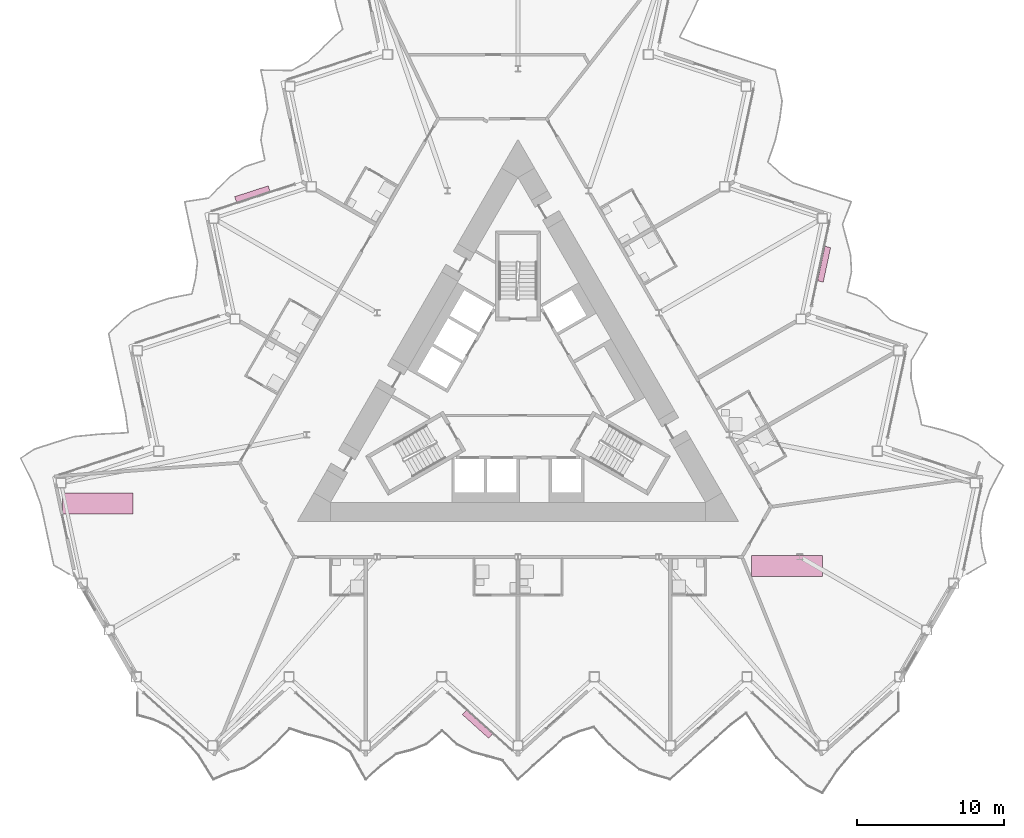
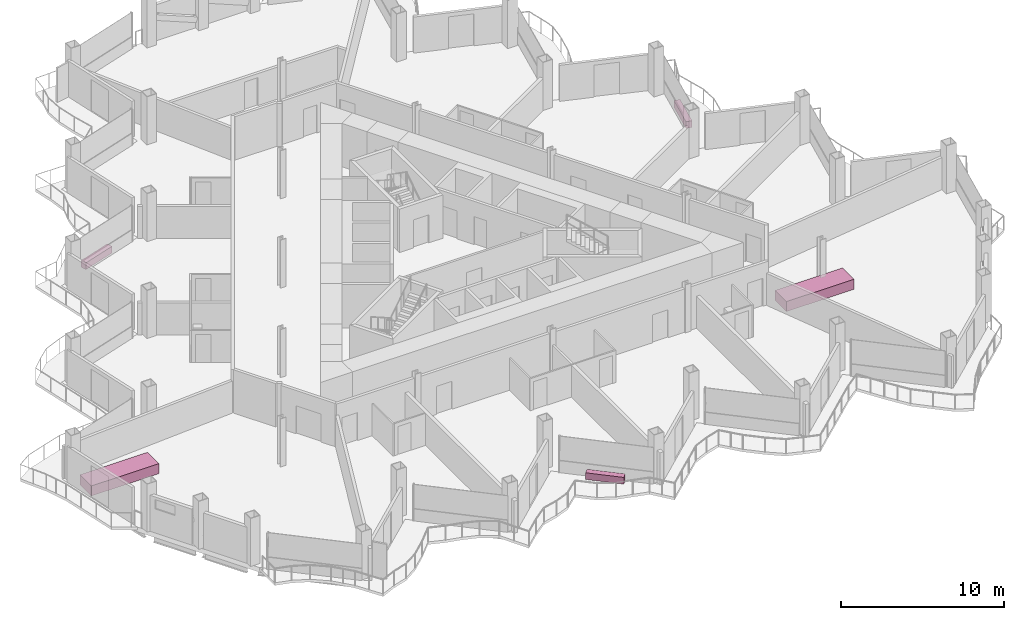
# One storey, part 24 of 24: 5 furniture elements.
"""IFC4 building model written with IfcOpenShell, lengths in metres."""

from ifc_helpers import new_model, si_unit, direction, frame, origin, origin_2d, place, context, subcontext, project, spatial, rectangle, extrude, material, type_object, element, save


model = new_model("IFC4")

# Units and contexts
model_context = context("Model", 3, precision=1e-05, world=origin(), true_north=direction((0.0, 1.0)))
body_context = subcontext(model_context, "Body", "Model", "MODEL_VIEW")
ifc_project = project(units=[si_unit("LENGTHUNIT", "METRE"), si_unit("AREAUNIT", "SQUARE_METRE"), si_unit("VOLUMEUNIT", "CUBIC_METRE"), si_unit("PLANEANGLEUNIT", "RADIAN"), si_unit("MASSUNIT", "GRAM", prefix="KILO")], contexts=[model_context])

# Site, building, storey
site_placement = place(None, origin())
site = spatial("IfcSite", under=ifc_project, at=site_placement, CompositionType="ELEMENT")
building_placement = place(site_placement, origin())
building = spatial("IfcBuilding", under=site, at=building_placement, Name="Cormorant Prow Tower", CompositionType="ELEMENT")
storey_placement = place(building_placement, frame((0.0, 0.0, 238.199951171875)))
storey = spatial("IfcBuildingStorey", under=building, at=storey_placement, Name="L52", CompositionType="ELEMENT", Elevation=238.199951171875)

# Furniture
ifc_material_1 = material(Name="Terracotta", Category="masonry")
furniture_type_1 = type_object("IfcFurnitureType", Name="Balcony planter 2400x400x500", AssemblyPlace="NOTDEFINED", PredefinedType="USERDEFINED", material=ifc_material_1)
for number, where, z_axis, x_axis, name in (
    (1, (-2.753173828125, -22.43701171875, 0.0), (0.0, 0.0, 1.0), (0.74314485959, -0.669130568473, 0.0), "Balcony planter S04"),
    (2, (20.8076171875, 8.834228515625, 0.0), (0.0, 0.0, 1.0), (0.207911675316, 0.978147604029, 0.0), "Balcony planter ENE04"),
    (3, (-18.054443359375, 13.602783203125, 0.0), (0.0, 0.0, 1.0), (-0.951056501755, -0.309017039126, 0.0), "Balcony planter WNW04"),
):
    element("IfcFurniture", number, at=place(storey_placement, frame(where, z_axis=z_axis, x_axis=x_axis)), inside=storey, type_object=furniture_type_1, Name=name, ObjectType="PLANTER", PredefinedType="USERDEFINED", context=body_context, shape_type="SweptSolid", body=[
        extrude(rectangle(XDim=2.39990234375, YDim=0.39990234375, at=origin_2d()), origin(), (0.0, 0.0, 1.0), 0.5),
    ])
ifc_material_2 = material(Name="Timber joinery", Category="wood")
furniture_type_2 = type_object("IfcFurnitureType", Name="Conference table 4800x1400", AssemblyPlace="NOTDEFINED", PredefinedType="TABLE", material=ifc_material_2)
for number, where, z_axis, x_axis, name in (
    (4, (18.286376953125, -11.681396484375, 0.0), (0.0, 0.0, 1.0), (1.0, 0.0, 0.0), "Conference table"),
    (5, (-28.569580078125, -7.431396484375, 0.0), (0.0, 0.0, 1.0), (1.0, 0.0, 0.0), "Conference table"),
):
    element("IfcFurniture", number, at=place(storey_placement, frame(where, z_axis=z_axis, x_axis=x_axis)), inside=storey, type_object=furniture_type_2, Name=name, PredefinedType="TABLE", context=body_context, shape_type="SweptSolid", body=[
        extrude(rectangle(XDim=4.800048828125, YDim=1.39990234375, at=origin_2d()), origin(), (0.0, 0.0, 1.0), 0.75),
    ])

save(model, "model.ifc")
